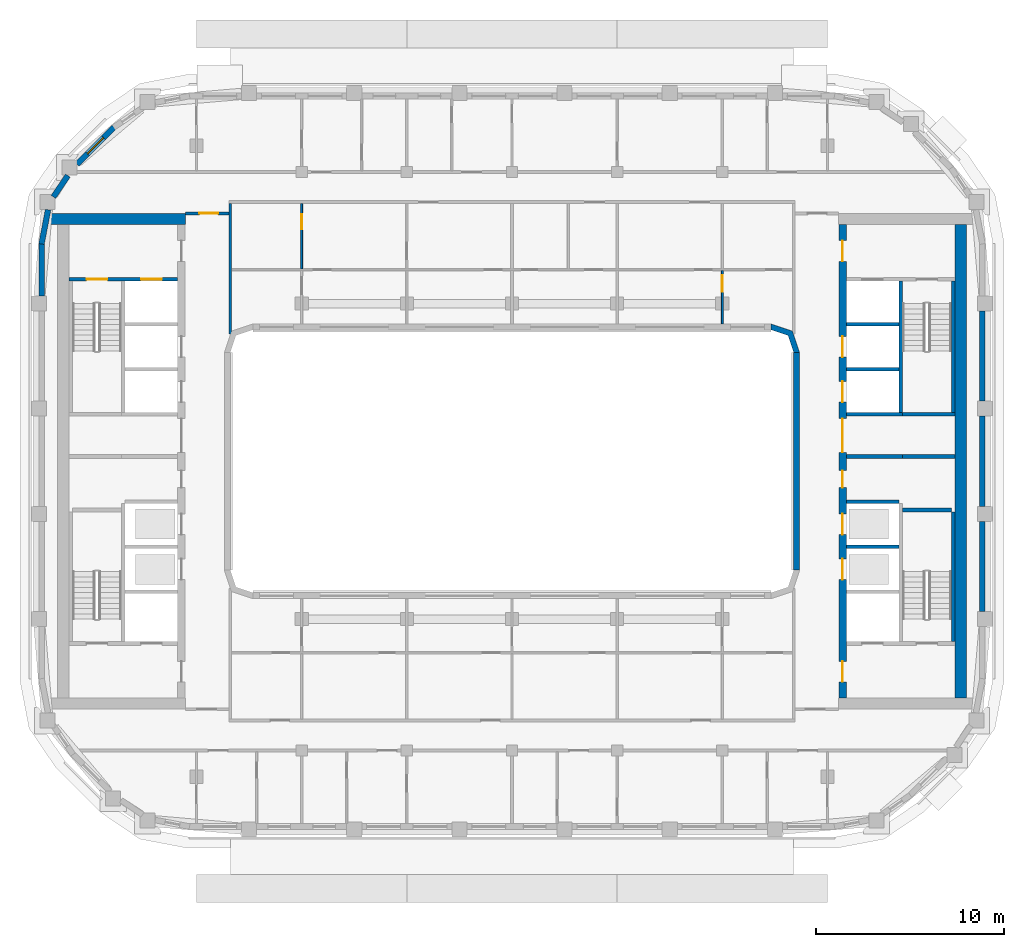
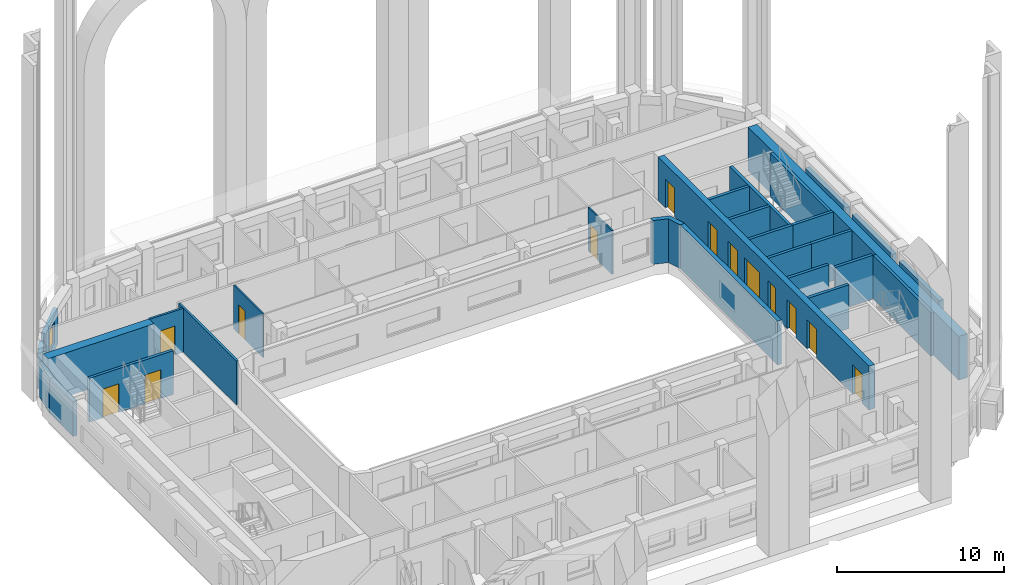
# One storey, part 6 of 19: 29 walls, 13 doors, 1 window, 14 openings.
"""IFC4 building model written with IfcOpenShell, lengths in metres."""

from ifc_helpers import new_model, si_unit, direction, frame, frame_2d, origin, place, context, subcontext, project, spatial, polyline, rectangle, outline, extrude, material, layer, layer_set, type_object, element, fill, save


model = new_model("IFC4")

# Units and contexts
model_context = context("Model", 3, precision=1e-05, world=origin(), true_north=direction((0.0, 1.0)))
body_context = subcontext(model_context, "Body", "Model", "MODEL_VIEW")
ifc_project = project(units=[si_unit("LENGTHUNIT", "METRE"), si_unit("AREAUNIT", "SQUARE_METRE"), si_unit("VOLUMEUNIT", "CUBIC_METRE"), si_unit("PLANEANGLEUNIT", "RADIAN"), si_unit("MASSUNIT", "GRAM", prefix="KILO")], contexts=[model_context])

# Site, building, storey
site_placement = place(None, origin())
site = spatial("IfcSite", under=ifc_project, at=site_placement, CompositionType="ELEMENT")
building_placement = place(site_placement, origin())
building = spatial("IfcBuilding", under=site, at=building_placement, Name="Kiln Ring Residences", CompositionType="ELEMENT")
storey_placement = place(building_placement, frame((0.0, 0.0, 241.699951171875)))
storey = spatial("IfcBuildingStorey", under=building, at=storey_placement, Name="L62", CompositionType="ELEMENT", Elevation=241.699951171875)

# Walls
ifc_material_1 = material(Name="Gypsum board on steel studs", Category="steel")
ifc_layer_1 = layer(ifc_material_1, 0.199951171875)
ifc_layer_set_1 = layer_set([ifc_layer_1], Name="CORE-PARTITION-200")
wall_type_1 = type_object("IfcWallType", Name="CORE-PARTITION-200", PredefinedType="PARTITIONING", material=ifc_layer_set_1)
wall_1_placement = place(storey_placement, frame((20.800048828125, 0.25, 0.0), z_axis=(0.0, 0.0, 1.0), x_axis=(1.0, 0.0, 0.0)))
element("IfcWall", 1, at=wall_1_placement, inside=storey, type_object=wall_type_1, Name="Core partition east L62 1", PredefinedType="PARTITIONING", context=body_context, shape_type="SweptSolid", body=[
    extrude(rectangle(XDim=2.800048828125, YDim=0.199951171875, at=frame_2d((1.39990234375, 0.0))), origin(), (0.0, 0.0, 1.0), 3.199951171875),
])
ifc_material_2 = material(Name="Gypsum shaft wall system")
ifc_layer_2 = layer(ifc_material_2, 0.199951171875)
ifc_layer_set_2 = layer_set([ifc_layer_2], Name="CORE-SHAFT-WALL-200")
wall_type_2 = type_object("IfcWallType", Name="CORE-SHAFT-WALL-200", PredefinedType="PARTITIONING", material=ifc_layer_set_2)
for number, where, z_axis, x_axis, name in (
    (2, (17.800048828125, -4.550048828125, 0.0), (0.0, 0.0, 1.0), (1.0, 0.0, 0.0), "Core partition east L62 3"),
    (3, (17.800048828125, -2.14990234375, 0.0), (0.0, 0.0, 1.0), (1.0, 0.0, 0.0), "Core partition east L62 4"),
):
    element("IfcWall", number, at=place(storey_placement, frame(where, z_axis=z_axis, x_axis=x_axis)), inside=storey, type_object=wall_type_2, Name=name, PredefinedType="PARTITIONING", context=body_context, shape_type="SweptSolid", body=[
        extrude(rectangle(XDim=2.800048828125, YDim=0.199951171875, at=frame_2d((1.39990234375, 0.0))), origin(), (0.0, 0.0, 1.0), 3.199951171875),
    ])
for number, where, z_axis, x_axis, name in (
    (4, (17.800048828125, 0.25, 0.0), (0.0, 0.0, 1.0), (1.0, 0.0, 0.0), "Core partition east L62 5"),
    (5, (17.800048828125, 2.5, 0.0), (0.0, 0.0, 1.0), (1.0, 0.0, 0.0), "Core partition east L62 6"),
):
    element("IfcWall", number, at=place(storey_placement, frame(where, z_axis=z_axis, x_axis=x_axis)), inside=storey, type_object=wall_type_2, Name=name, PredefinedType="PARTITIONING", context=body_context, shape_type="SweptSolid", body=[
        extrude(rectangle(XDim=3.0, YDim=0.199951171875, at=frame_2d((1.5, 0.0))), origin(), (0.0, 0.0, 1.0), 3.199951171875),
    ])
for number, where, z_axis, x_axis, name in (
    (6, (17.800048828125, 4.89990234375, 0.0), (0.0, 0.0, 1.0), (1.0, 0.0, 0.0), "Core partition east L62 7"),
    (7, (17.800048828125, 7.300048828125, 0.0), (0.0, 0.0, 1.0), (1.0, 0.0, 0.0), "Core partition east L62 8"),
):
    element("IfcWall", number, at=place(storey_placement, frame(where, z_axis=z_axis, x_axis=x_axis)), inside=storey, type_object=wall_type_2, Name=name, PredefinedType="PARTITIONING", context=body_context, shape_type="SweptSolid", body=[
        extrude(rectangle(XDim=2.800048828125, YDim=0.199951171875, at=frame_2d((1.39990234375, 0.0))), origin(), (0.0, 0.0, 1.0), 3.199951171875),
    ])

# Wall, openings, doors
ifc_material_3 = material(Name="Concrete C40/50", Category="concrete")
ifc_layer_3 = layer(ifc_material_3, 0.199951171875)
ifc_layer_set_3 = layer_set([ifc_layer_3], Name="CORE-WALL-RC200")
wall_type_3 = type_object("IfcWallType", Name="CORE-WALL-RC200", PredefinedType="SHEAR", material=ifc_layer_set_3)
wall_2_placement = place(storey_placement, frame((-17.800048828125, 9.699951171875, 0.0), z_axis=(0.0, 0.0, 1.0), x_axis=(-1.0, 0.0, 0.0)))
wall_2 = element("IfcWall", 8, at=wall_2_placement, inside=storey, type_object=wall_type_3, Name="Core wall west L62 9", PredefinedType="SHEAR", context=body_context, shape_type="SweptSolid", body=[
    extrude(rectangle(XDim=5.800048828125, YDim=0.199951171875, at=frame_2d((2.89990234375, 0.0))), origin(), (0.0, 0.0, 1.0), 3.199951171875),
])
opening_1_placement = place(wall_2_placement, frame((0.85009765625, 0.0, 0.0)))
opening_1 = element("IfcOpeningElement", 9, at=opening_1_placement, cuts=wall_2, Name="Opening L62-CW07", PredefinedType="OPENING", context=body_context, shape_type="SweptSolid", body=[
    extrude(rectangle(XDim=1.10009765625, YDim=2.10009765625, at=frame_2d((0.550048828125, 1.050048828125))), frame((0.0, 0.10986328125, 0.0), z_axis=(0.0, -1.0, 0.0), x_axis=(1.0, 0.0, 0.0)), (0.0, 0.0, 1.0), 0.219970703125),
])
opening_2_placement = place(wall_2_placement, frame((3.75, 0.0, 0.0)))
opening_2 = element("IfcOpeningElement", 10, at=opening_2_placement, cuts=wall_2, Name="Opening L62-CW10", PredefinedType="OPENING", context=body_context, shape_type="SweptSolid", body=[
    extrude(rectangle(XDim=1.10009765625, YDim=2.10009765625, at=frame_2d((0.550048828125, 1.050048828125))), frame((0.0, 0.10986328125, 0.0), z_axis=(0.0, -1.0, 0.0), x_axis=(1.0, 0.0, 0.0)), (0.0, 0.0, 1.0), 0.219970703125),
])
ifc_material_4 = material(Name="Steel door leaf", Category="steel")
door_type_1 = type_object("IfcDoorType", Name="CORE-DOOR-LD", OperationType="DOUBLE_DOOR_SLIDING", PredefinedType="DOOR", material=ifc_material_4)
door_1_placement = place(opening_1_placement, origin())
door_1 = element("IfcDoor", 11, at=door_1_placement, inside=storey, type_object=door_type_1, Name="LD W-FF L62-CW07", OperationType="DOUBLE_DOOR_SLIDING", OverallHeight=2.10009765625, OverallWidth=1.10009765625, PredefinedType="DOOR", context=body_context, shape_type="SweptSolid", body=[
    extrude(rectangle(XDim=1.10009765625, YDim=2.10009765625, at=frame_2d((0.550048828125, 1.050048828125))), frame((0.0, 0.02490234375, 0.0), z_axis=(0.0, -1.0, 0.0), x_axis=(1.0, 0.0, 0.0)), (0.0, 0.0, 1.0), 0.050048828125),
])
fill(opening_1, door_1)
ifc_material_5 = material(Name="Steel door leaf", Category="steel")
door_type_2 = type_object("IfcDoorType", Name="CORE-DOOR-STAIR", OperationType="SINGLE_SWING_LEFT", PredefinedType="DOOR", material=ifc_material_5)
door_2_placement = place(opening_2_placement, origin())
door_2 = element("IfcDoor", 12, at=door_2_placement, inside=storey, type_object=door_type_2, Name="Stair W-STN L62-CW10", OperationType="SINGLE_SWING_RIGHT", OverallHeight=2.10009765625, OverallWidth=1.10009765625, PredefinedType="DOOR", context=body_context, shape_type="SweptSolid", body=[
    extrude(rectangle(XDim=1.10009765625, YDim=2.10009765625, at=frame_2d((0.550048828125, 1.050048828125))), frame((0.0, 0.02490234375, 0.0), z_axis=(0.0, -1.0, 0.0), x_axis=(1.0, 0.0, 0.0)), (0.0, 0.0, 1.0), 0.050048828125),
])
fill(opening_2, door_2)

# Walls
wall_3_placement = place(storey_placement, frame((20.699951171875, 2.60009765625, 0.0), z_axis=(0.0, 0.0, 1.0), x_axis=(0.0, 1.0, 0.0)))
element("IfcWall", 13, at=wall_3_placement, inside=storey, type_object=wall_type_3, Name="Core wall east L62 1", PredefinedType="SHEAR", context=body_context, shape_type="SweptSolid", body=[
    extrude(rectangle(XDim=7.0, YDim=0.199951171875, at=frame_2d((3.5, 0.0))), origin(), (0.0, 0.0, 1.0), 3.199951171875),
])
wall_4_placement = place(storey_placement, frame((20.800048828125, 2.5, 0.0), z_axis=(0.0, 0.0, 1.0), x_axis=(1.0, 0.0, 0.0)))
element("IfcWall", 14, at=wall_4_placement, inside=storey, type_object=wall_type_3, Name="Core wall east L62 3", PredefinedType="SHEAR", context=body_context, shape_type="SweptSolid", body=[
    extrude(rectangle(XDim=2.800048828125, YDim=0.199951171875, at=frame_2d((1.39990234375, 0.0))), origin(), (0.0, 0.0, 1.0), 3.199951171875),
])
wall_5_placement = place(storey_placement, frame((23.5, 2.60009765625, 0.0), z_axis=(0.0, 0.0, 1.0), x_axis=(0.0, 1.0, 0.0)))
element("IfcWall", 15, at=wall_5_placement, inside=storey, type_object=wall_type_3, Name="Core wall east L62 10", PredefinedType="SHEAR", context=body_context, shape_type="SweptSolid", body=[
    extrude(rectangle(XDim=7.0, YDim=0.199951171875, at=frame_2d((3.5, 0.0))), origin(), (0.0, 0.0, 1.0), 3.199951171875),
])
wall_6_placement = place(storey_placement, frame((23.5, -9.60009765625, 0.0), z_axis=(0.0, 0.0, 1.0), x_axis=(0.0, 1.0, 0.0)))
element("IfcWall", 16, at=wall_6_placement, inside=storey, type_object=wall_type_3, Name="Core wall east L62 11", PredefinedType="SHEAR", context=body_context, shape_type="SweptSolid", body=[
    extrude(rectangle(XDim=6.900146484375, YDim=0.199951171875, at=frame_2d((3.4501953125, 0.0))), origin(), (0.0, 0.0, 1.0), 3.199951171875),
])
wall_7_placement = place(storey_placement, frame((20.800048828125, -2.60009765625, 0.0), z_axis=(0.0, 0.0, 1.0), x_axis=(1.0, 0.0, 0.0)))
element("IfcWall", 17, at=wall_7_placement, inside=storey, type_object=wall_type_3, Name="Core wall east L62 12", PredefinedType="SHEAR", context=body_context, shape_type="SweptSolid", body=[
    extrude(rectangle(XDim=2.599853515625, YDim=0.199951171875, at=frame_2d((1.2998046875, 0.0))), origin(), (0.0, 0.0, 1.0), 3.199951171875),
])

# Wall, openings, doors
ifc_material_6 = material(Name="Concrete C60/75", Category="concrete")
ifc_layer_4 = layer(ifc_material_6, 0.39990234375)
ifc_layer_set_4 = layer_set([ifc_layer_4], Name="CORE-WALL-RC400")
wall_type_4 = type_object("IfcWallType", Name="CORE-WALL-RC400", PredefinedType="SHEAR", material=ifc_layer_set_4)
wall_8_placement = place(storey_placement, frame((17.60009765625, -12.60009765625, 0.0), z_axis=(0.0, 0.0, 1.0), x_axis=(0.0, 1.0, 0.0)))
wall_8 = element("IfcWall", 18, at=wall_8_placement, inside=storey, type_object=wall_type_4, Name="Core wall east L62 6", PredefinedType="SHEAR", context=body_context, shape_type="SweptSolid", body=[
    extrude(rectangle(XDim=25.2001953125, YDim=0.39990234375, at=frame_2d((12.60009765625, 0.0))), origin(), (0.0, 0.0, 1.0), 3.199951171875),
])
opening_3_placement = place(wall_8_placement, frame((6.300048828125, 0.0, 0.0)))
opening_3 = element("IfcOpeningElement", 19, at=opening_3_placement, cuts=wall_8, Name="Opening L62-CE02", PredefinedType="OPENING", context=body_context, shape_type="SweptSolid", body=[
    extrude(rectangle(XDim=1.10009765625, YDim=2.10009765625, at=frame_2d((0.550048828125, 1.050048828125))), frame((0.0, 0.2099609375, 0.0), z_axis=(0.0, -1.0, 0.0), x_axis=(1.0, 0.0, 0.0)), (0.0, 0.0, 1.0), 0.419921875),
])
opening_4_placement = place(wall_8_placement, frame((8.699951171875, 0.0, 0.0)))
opening_4 = element("IfcOpeningElement", 20, at=opening_4_placement, cuts=wall_8, Name="Opening L62-CE03", PredefinedType="OPENING", context=body_context, shape_type="SweptSolid", body=[
    extrude(rectangle(XDim=1.10009765625, YDim=2.10009765625, at=frame_2d((0.550048828125, 1.050048828125))), frame((0.0, 0.2099609375, 0.0), z_axis=(0.0, -1.0, 0.0), x_axis=(1.0, 0.0, 0.0)), (0.0, 0.0, 1.0), 0.419921875),
])
opening_5_placement = place(wall_8_placement, frame((11.199951171875, 0.0, 0.0)))
opening_5 = element("IfcOpeningElement", 21, at=opening_5_placement, cuts=wall_8, Name="Opening L62-CE04", PredefinedType="OPENING", context=body_context, shape_type="SweptSolid", body=[
    extrude(rectangle(XDim=0.89990234375, YDim=2.10009765625, at=frame_2d((0.449951171875, 1.050048828125))), frame((0.0, 0.2099609375, 0.0), z_axis=(0.0, -1.0, 0.0), x_axis=(1.0, 0.0, 0.0)), (0.0, 0.0, 1.0), 0.419921875),
])
opening_6_placement = place(wall_8_placement, frame((15.75, 0.0, 0.0)))
opening_6 = element("IfcOpeningElement", 22, at=opening_6_placement, cuts=wall_8, Name="Opening L62-CE05", PredefinedType="OPENING", context=body_context, shape_type="SweptSolid", body=[
    extrude(rectangle(XDim=1.10009765625, YDim=2.10009765625, at=frame_2d((0.550048828125, 1.050048828125))), frame((0.0, 0.2099609375, 0.0), z_axis=(0.0, -1.0, 0.0), x_axis=(1.0, 0.0, 0.0)), (0.0, 0.0, 1.0), 0.419921875),
])
opening_7_placement = place(wall_8_placement, frame((18.14990234375, 0.0, 0.0)))
opening_7 = element("IfcOpeningElement", 23, at=opening_7_placement, cuts=wall_8, Name="Opening L62-CE06", PredefinedType="OPENING", context=body_context, shape_type="SweptSolid", body=[
    extrude(rectangle(XDim=1.10009765625, YDim=2.10009765625, at=frame_2d((0.550048828125, 1.050048828125))), frame((0.0, 0.2099609375, 0.0), z_axis=(0.0, -1.0, 0.0), x_axis=(1.0, 0.0, 0.0)), (0.0, 0.0, 1.0), 0.419921875),
])
opening_8_placement = place(wall_8_placement, frame((23.25, 0.0, 0.0)))
opening_8 = element("IfcOpeningElement", 24, at=opening_8_placement, cuts=wall_8, Name="Opening L62-CE08", PredefinedType="OPENING", context=body_context, shape_type="SweptSolid", body=[
    extrude(rectangle(XDim=1.10009765625, YDim=2.10009765625, at=frame_2d((0.550048828125, 1.050048828125))), frame((0.0, 0.2099609375, 0.0), z_axis=(0.0, -1.0, 0.0), x_axis=(1.0, 0.0, 0.0)), (0.0, 0.0, 1.0), 0.419921875),
])
opening_9_placement = place(wall_8_placement, frame((0.85009765625, 0.0, 0.0)))
opening_9 = element("IfcOpeningElement", 25, at=opening_9_placement, cuts=wall_8, Name="Opening L62-CE09", PredefinedType="OPENING", context=body_context, shape_type="SweptSolid", body=[
    extrude(rectangle(XDim=1.10009765625, YDim=2.10009765625, at=frame_2d((0.550048828125, 1.050048828125))), frame((0.0, 0.2099609375, 0.0), z_axis=(0.0, -1.0, 0.0), x_axis=(1.0, 0.0, 0.0)), (0.0, 0.0, 1.0), 0.419921875),
])
opening_10_placement = place(wall_8_placement, frame((13.074951171875, 0.0, 0.0)))
opening_10 = element("IfcOpeningElement", 26, at=opening_10_placement, cuts=wall_8, Name="Opening L62-CE12", PredefinedType="OPENING", context=body_context, shape_type="SweptSolid", body=[
    extrude(rectangle(XDim=1.800048828125, YDim=2.10009765625, at=frame_2d((0.89990234375, 1.050048828125))), frame((0.0, 0.2099609375, 0.0), z_axis=(0.0, -1.0, 0.0), x_axis=(1.0, 0.0, 0.0)), (0.0, 0.0, 1.0), 0.419921875),
])
door_3_placement = place(opening_3_placement, origin())
door_3 = element("IfcDoor", 27, at=door_3_placement, inside=storey, type_object=door_type_1, Name="LD E-H1 L62-CE02", OperationType="DOUBLE_DOOR_SLIDING", OverallHeight=2.10009765625, OverallWidth=1.10009765625, PredefinedType="DOOR", context=body_context, shape_type="SweptSolid", body=[
    extrude(rectangle(XDim=1.10009765625, YDim=2.10009765625, at=frame_2d((0.550048828125, 1.050048828125))), frame((0.0, 0.02490234375, 0.0), z_axis=(0.0, -1.0, 0.0), x_axis=(1.0, 0.0, 0.0)), (0.0, 0.0, 1.0), 0.050048828125),
])
fill(opening_3, door_3)
door_4_placement = place(opening_4_placement, origin())
door_4 = element("IfcDoor", 28, at=door_4_placement, inside=storey, type_object=door_type_1, Name="LD E-H2 L62-CE03", OperationType="DOUBLE_DOOR_SLIDING", OverallHeight=2.10009765625, OverallWidth=1.10009765625, PredefinedType="DOOR", context=body_context, shape_type="SweptSolid", body=[
    extrude(rectangle(XDim=1.10009765625, YDim=2.10009765625, at=frame_2d((0.550048828125, 1.050048828125))), frame((0.0, 0.02490234375, 0.0), z_axis=(0.0, -1.0, 0.0), x_axis=(1.0, 0.0, 0.0)), (0.0, 0.0, 1.0), 0.050048828125),
])
fill(opening_4, door_4)
door_5_placement = place(opening_6_placement, origin())
door_5 = element("IfcDoor", 29, at=door_5_placement, inside=storey, type_object=door_type_1, Name="LD E-M1 L62-CE05", OperationType="DOUBLE_DOOR_SLIDING", OverallHeight=2.10009765625, OverallWidth=1.10009765625, PredefinedType="DOOR", context=body_context, shape_type="SweptSolid", body=[
    extrude(rectangle(XDim=1.10009765625, YDim=2.10009765625, at=frame_2d((0.550048828125, 1.050048828125))), frame((0.0, 0.02490234375, 0.0), z_axis=(0.0, -1.0, 0.0), x_axis=(1.0, 0.0, 0.0)), (0.0, 0.0, 1.0), 0.050048828125),
])
fill(opening_6, door_5)
door_6_placement = place(opening_7_placement, origin())
door_6 = element("IfcDoor", 30, at=door_6_placement, inside=storey, type_object=door_type_1, Name="LD E-M2 L62-CE06", OperationType="DOUBLE_DOOR_SLIDING", OverallHeight=2.10009765625, OverallWidth=1.10009765625, PredefinedType="DOOR", context=body_context, shape_type="SweptSolid", body=[
    extrude(rectangle(XDim=1.10009765625, YDim=2.10009765625, at=frame_2d((0.550048828125, 1.050048828125))), frame((0.0, 0.02490234375, 0.0), z_axis=(0.0, -1.0, 0.0), x_axis=(1.0, 0.0, 0.0)), (0.0, 0.0, 1.0), 0.050048828125),
])
fill(opening_7, door_6)
ifc_material_7 = material(Name="Steel door leaf", Category="steel")
door_type_3 = type_object("IfcDoorType", Name="CORE-DOOR-LOBBY", OperationType="SINGLE_SWING_LEFT", PredefinedType="DOOR", material=ifc_material_7)
door_7_placement = place(opening_8_placement, origin())
door_7 = element("IfcDoor", 31, at=door_7_placement, inside=storey, type_object=door_type_3, Name="FFL L62-CE08", OperationType="SINGLE_SWING_RIGHT", OverallHeight=2.10009765625, OverallWidth=1.10009765625, PredefinedType="DOOR", context=body_context, shape_type="SweptSolid", body=[
    extrude(rectangle(XDim=1.10009765625, YDim=2.10009765625, at=frame_2d((0.550048828125, 1.050048828125))), frame((0.0, 0.02490234375, 0.0), z_axis=(0.0, -1.0, 0.0), x_axis=(1.0, 0.0, 0.0)), (0.0, 0.0, 1.0), 0.050048828125),
])
fill(opening_8, door_7)
door_8_placement = place(opening_9_placement, origin())
door_8 = element("IfcDoor", 32, at=door_8_placement, inside=storey, type_object=door_type_3, Name="SVL L62-CE09", OperationType="SINGLE_SWING_LEFT", OverallHeight=2.10009765625, OverallWidth=1.10009765625, PredefinedType="DOOR", context=body_context, shape_type="SweptSolid", body=[
    extrude(rectangle(XDim=1.10009765625, YDim=2.10009765625, at=frame_2d((0.550048828125, 1.050048828125))), frame((0.0, 0.02490234375, 0.0), z_axis=(0.0, -1.0, 0.0), x_axis=(1.0, 0.0, 0.0)), (0.0, 0.0, 1.0), 0.050048828125),
])
fill(opening_9, door_8)
ifc_material_8 = material(Name="Steel door leaf", Category="steel")
door_type_4 = type_object("IfcDoorType", Name="CORE-DOOR-PASS", OperationType="DOUBLE_DOOR_SINGLE_SWING", PredefinedType="DOOR", material=ifc_material_8)
door_9_placement = place(opening_10_placement, origin())
door_9 = element("IfcDoor", 33, at=door_9_placement, inside=storey, type_object=door_type_4, Name="Core passage L62-CE12", OperationType="DOUBLE_DOOR_SINGLE_SWING", OverallHeight=2.10009765625, OverallWidth=1.800048828125, PredefinedType="DOOR", context=body_context, shape_type="SweptSolid", body=[
    extrude(rectangle(XDim=1.800048828125, YDim=2.10009765625, at=frame_2d((0.89990234375, 1.050048828125))), frame((0.0, 0.02490234375, 0.0), z_axis=(0.0, -1.0, 0.0), x_axis=(1.0, 0.0, 0.0)), (0.0, 0.0, 1.0), 0.050048828125),
])
fill(opening_10, door_9)
ifc_material_9 = material(Name="Steel door leaf", Category="steel")
door_type_5 = type_object("IfcDoorType", Name="CORE-DOOR-ROOM", OperationType="SINGLE_SWING_LEFT", PredefinedType="DOOR", material=ifc_material_9)
door_10_placement = place(opening_5_placement, origin())
door_10 = element("IfcDoor", 34, at=door_10_placement, inside=storey, type_object=door_type_5, Name="Cleaner's base L62-CE04", OperationType="SINGLE_SWING_LEFT", OverallHeight=2.10009765625, OverallWidth=0.89990234375, PredefinedType="DOOR", context=body_context, shape_type="SweptSolid", body=[
    extrude(rectangle(XDim=0.89990234375, YDim=2.10009765625, at=frame_2d((0.449951171875, 1.050048828125))), frame((0.0, 0.02490234375, 0.0), z_axis=(0.0, -1.0, 0.0), x_axis=(1.0, 0.0, 0.0)), (0.0, 0.0, 1.0), 0.050048828125),
])
fill(opening_5, door_10)

# Walls
ifc_material_10 = material(Name="Concrete C60/75", Category="concrete")
ifc_layer_5 = layer(ifc_material_10, 0.60009765625)
ifc_layer_set_5 = layer_set([ifc_layer_5], Name="CORE-WALL-RC600")
wall_type_5 = type_object("IfcWallType", Name="CORE-WALL-RC600", PredefinedType="SHEAR", material=ifc_layer_set_5)
wall_9_placement = place(storey_placement, frame((-17.39990234375, 12.89990234375, 0.0), z_axis=(0.0, 0.0, 1.0), x_axis=(-1.0, 0.0, 0.0)))
element("IfcWall", 35, at=wall_9_placement, inside=storey, type_object=wall_type_5, Name="Core wall west L62 4", PredefinedType="SHEAR", context=body_context, shape_type="SweptSolid", body=[
    extrude(rectangle(XDim=7.320068359375, YDim=0.60009765625, at=frame_2d((3.66015625, 0.0))), origin(), (0.0, 0.0, 1.0), 3.199951171875),
])
wall_10_placement = place(storey_placement, frame((23.89990234375, -12.60009765625, 0.0), z_axis=(0.0, 0.0, 1.0), x_axis=(0.0, 1.0, 0.0)))
element("IfcWall", 36, at=wall_10_placement, inside=storey, type_object=wall_type_5, Name="Core wall east L62 7", PredefinedType="SHEAR", context=body_context, shape_type="SweptSolid", body=[
    extrude(rectangle(XDim=25.2001953125, YDim=0.60009765625, at=frame_2d((12.60009765625, 0.0))), origin(), (0.0, 0.0, 1.0), 3.199951171875),
])
ifc_material_11 = material(Name="Brick masonry, dark clay brick", Category="masonry")
ifc_layer_6 = layer(ifc_material_11, 0.300048828125)
ifc_layer_set_6 = layer_set([ifc_layer_6], Name="EW-300 BRICK WALL")
wall_type_6 = type_object("IfcWallType", Name="EW-300 BRICK WALL", PredefinedType="SOLIDWALL", material=ifc_layer_set_6)
wall_11_placement = place(storey_placement, frame((25.050048828125, -8.0, 0.0), z_axis=(0.0, 0.0, 1.0), x_axis=(0.0, 1.0, 0.0)))
element("IfcWall", 37, at=wall_11_placement, inside=storey, type_object=wall_type_6, Name="Facade wall L62 17", PredefinedType="SOLIDWALL", context=body_context, shape_type="SweptSolid", body=[
    extrude(rectangle(XDim=4.800048828125, YDim=0.300048828125, at=frame_2d((2.39990234375, 0.0))), origin(), (0.0, 0.0, 1.0), 2.550048828125),
])
wall_12_placement = place(storey_placement, frame((25.050048828125, -2.39990234375, 0.0), z_axis=(0.0, 0.0, 1.0), x_axis=(0.0, 1.0, 0.0)))
element("IfcWall", 38, at=wall_12_placement, inside=storey, type_object=wall_type_6, Name="Facade wall L62 18", PredefinedType="SOLIDWALL", context=body_context, shape_type="SweptSolid", body=[
    extrude(rectangle(XDim=4.7998046875, YDim=0.300048828125, at=frame_2d((2.39990234375, 0.0))), origin(), (0.0, 0.0, 1.0), 2.550048828125),
])
wall_13_placement = place(storey_placement, frame((25.050048828125, 3.199951171875, 0.0), z_axis=(0.0, 0.0, 1.0), x_axis=(0.0, 1.0, 0.0)))
element("IfcWall", 39, at=wall_13_placement, inside=storey, type_object=wall_type_6, Name="Facade wall L62 19", PredefinedType="SOLIDWALL", context=body_context, shape_type="SweptSolid", body=[
    extrude(rectangle(XDim=4.800048828125, YDim=0.300048828125, at=frame_2d((2.39990234375, 0.0))), origin(), (0.0, 0.0, 1.0), 2.550048828125),
])

# Wall, opening, window
wall_14_placement = place(storey_placement, frame((-21.19091796875, 17.796875, 0.0), z_axis=(0.0, 0.0, 1.0), x_axis=(-0.707106781187, -0.707106781187, 0.0)))
wall_14 = element("IfcWall", 40, at=wall_14_placement, inside=storey, type_object=wall_type_6, Name="Facade wall L62 35", PredefinedType="SOLIDWALL", context=body_context, shape_type="SweptSolid", body=[
    extrude(rectangle(XDim=2.800048828125, YDim=0.300048828125, at=frame_2d((1.39990234375, 0.0))), origin(), (0.0, 0.0, 1.0), 2.550048828125),
])
opening_11_placement = place(wall_14_placement, frame((0.800048828125, 0.0, 0.60009765625)))
opening_11 = element("IfcOpeningElement", 41, at=opening_11_placement, cuts=wall_14, Name="Opening W1", PredefinedType="OPENING", context=body_context, shape_type="SweptSolid", body=[
    extrude(rectangle(XDim=1.199951171875, YDim=1.550048828125, at=frame_2d((0.60009765625, 0.77490234375))), frame((0.0, 0.159912109375, 0.0), z_axis=(0.0, -1.0, 0.0), x_axis=(1.0, 0.0, 0.0)), (0.0, 0.0, 1.0), 0.320068359375),
])
ifc_material_12 = material(Name="Aluminium frame with double glazing", Category="aluminium")
window_type = type_object("IfcWindowType", Name="WINDOW 1200 x 1550", PartitioningType="SINGLE_PANEL", PredefinedType="WINDOW", material=ifc_material_12)
window_placement = place(opening_11_placement, origin())
window = element("IfcWindow", 42, at=window_placement, inside=storey, type_object=window_type, Name="Window L62 35", OverallHeight=1.550048828125, OverallWidth=1.199951171875, PartitioningType="SINGLE_PANEL", PredefinedType="WINDOW", context=body_context, shape_type="SweptSolid", body=[
    extrude(rectangle(XDim=1.199951171875, YDim=1.550048828125, at=frame_2d((0.60009765625, 0.77490234375))), frame((0.0, 0.030029296875, 0.0), z_axis=(0.0, -1.0, 0.0), x_axis=(1.0, 0.0, 0.0)), (0.0, 0.0, 1.0), 0.06005859375),
])
fill(opening_11, window)

# Walls
wall_15_placement = place(storey_placement, frame((-23.648193359375, 15.216552734375, 0.0), z_axis=(0.0, 0.0, 1.0), x_axis=(-0.562043265151, -0.827107833416, 0.0)))
element("IfcWall", 43, at=wall_15_placement, inside=storey, type_object=wall_type_6, Name="Facade wall L62 36", PredefinedType="SOLIDWALL", context=body_context, shape_type="SweptSolid", body=[
    extrude(rectangle(XDim=1.376953125, YDim=0.300048828125, at=frame_2d((0.6884765625, 0.0))), origin(), (0.0, 0.0, 1.0), 2.550048828125),
])
wall_16_placement = place(storey_placement, frame((-24.704833984375, 13.395263671875, 0.0), z_axis=(0.0, 0.0, 1.0), x_axis=(-0.187408222942, -0.982282117303, 0.0)))
element("IfcWall", 44, at=wall_16_placement, inside=storey, type_object=wall_type_6, Name="Facade wall L62 37", PredefinedType="SOLIDWALL", context=body_context, shape_type="SweptSolid", body=[
    extrude(rectangle(XDim=1.8564453125, YDim=0.300048828125, at=frame_2d((0.92822265625, 0.0))), origin(), (0.0, 0.0, 1.0), 2.550048828125),
])
wall_17_placement = place(storey_placement, frame((-25.050048828125, 11.60009765625, 0.0), z_axis=(0.0, 0.0, 1.0), x_axis=(0.0, -1.0, 0.0)))
element("IfcWall", 45, at=wall_17_placement, inside=storey, type_object=wall_type_6, Name="Facade wall L62 38", PredefinedType="SOLIDWALL", context=body_context, shape_type="SweptSolid", body=[
    extrude(rectangle(XDim=2.800048828125, YDim=0.300048828125, at=frame_2d((1.39990234375, 0.0))), origin(), (0.0, 0.0, 1.0), 2.550048828125),
])
wall_18_placement = place(storey_placement, frame((15.14990234375, 5.800048828125, 0.0), z_axis=(0.0, 0.0, 1.0), x_axis=(0.0, -1.0, 0.0)))
element("IfcWall", 46, at=wall_18_placement, inside=storey, type_object=wall_type_6, Name="Facade wall L62 47", PredefinedType="SOLIDWALL", context=body_context, shape_type="SweptSolid", body=[
    extrude(rectangle(XDim=11.60009765625, YDim=0.300048828125, at=frame_2d((5.800048828125, 0.0))), origin(), (0.0, 0.0, 1.0), 3.199951171875),
])
wall_19_placement = place(storey_placement, origin())
element("IfcWall", 47, at=wall_19_placement, inside=storey, type_object=wall_type_6, Name="Corner wall L62 2", PredefinedType="SOLIDWALL", context=body_context, shape_type="SweptSolid", body=[
    extrude(outline(polyline([(14.937255859375, 6.937255859375), (13.8486328125, 7.300048828125), (13.800048828125, 7.300048828125), (13.800048828125, 7.0), (14.699951171875, 6.699951171875), (15.0, 5.800048828125), (15.300048828125, 5.800048828125), (15.300048828125, 5.8486328125), (14.937255859375, 6.937255859375)])), origin(), (0.0, 0.0, 1.0), 3.199951171875),
])

# Wall, opening, door
ifc_material_13 = material(Name="Gypsum board on steel studs", Category="steel")
ifc_layer_7 = layer(ifc_material_13, 0.10009765625)
ifc_layer_set_7 = layer_set([ifc_layer_7], Name="PARTITION-100")
wall_type_7 = type_object("IfcWallType", Name="PARTITION-100", PredefinedType="PARTITIONING", material=ifc_layer_set_7)
wall_20_placement = place(storey_placement, frame((-11.199951171875, 10.25, 0.0), z_axis=(0.0, 0.0, 1.0), x_axis=(0.0, 1.0, 0.0)))
wall_20 = element("IfcWall", 48, at=wall_20_placement, inside=storey, type_object=wall_type_7, Name="Partition 018", PredefinedType="PARTITIONING", context=body_context, shape_type="SweptSolid", body=[
    extrude(rectangle(XDim=3.47509765625, YDim=0.10009765625, at=frame_2d((1.737548828125, 0.0))), origin(), (0.0, 0.0, 1.0), 3.199951171875),
])
opening_12_placement = place(wall_20_placement, frame((2.09912109375, 0.0, 0.0)))
opening_12 = element("IfcOpeningElement", 49, at=opening_12_placement, cuts=wall_20, Name="Opening L62-D007", PredefinedType="OPENING", context=body_context, shape_type="SweptSolid", body=[
    extrude(rectangle(XDim=0.800048828125, YDim=2.10009765625, at=frame_2d((0.39990234375, 1.050048828125))), frame((0.0, 0.06005859375, 0.0), z_axis=(0.0, -1.0, 0.0), x_axis=(1.0, 0.0, 0.0)), (0.0, 0.0, 1.0), 0.1201171875),
])
ifc_material_14 = material(Name="Timber door leaf", Category="wood")
door_type_6 = type_object("IfcDoorType", Name="FLAT-DOOR-800-PL", OperationType="SINGLE_SWING_LEFT", PredefinedType="DOOR", material=ifc_material_14)
door_11_placement = place(opening_12_placement, origin())
door_11 = element("IfcDoor", 50, at=door_11_placement, inside=storey, type_object=door_type_6, Name="Door L62-D007", OperationType="SINGLE_SWING_LEFT", OverallHeight=2.10009765625, OverallWidth=0.800048828125, PredefinedType="DOOR", context=body_context, shape_type="SweptSolid", body=[
    extrude(rectangle(XDim=0.800048828125, YDim=2.10009765625, at=frame_2d((0.39990234375, 1.050048828125))), frame((0.0, 0.02490234375, 0.0), z_axis=(0.0, -1.0, 0.0), x_axis=(1.0, 0.0, 0.0)), (0.0, 0.0, 1.0), 0.050048828125),
])
fill(opening_12, door_11)

wall_21_placement = place(storey_placement, frame((11.199951171875, 7.320068359375, 0.0), z_axis=(0.0, 0.0, 1.0), x_axis=(0.0, 1.0, 0.0)))
wall_21 = element("IfcWall", 51, at=wall_21_placement, inside=storey, type_object=wall_type_7, Name="Partition 046", PredefinedType="PARTITIONING", context=body_context, shape_type="SweptSolid", body=[
    extrude(rectangle(XDim=2.829833984375, YDim=0.10009765625, at=frame_2d((1.4150390625, 0.0))), origin(), (0.0, 0.0, 1.0), 3.199951171875),
])
opening_13_placement = place(wall_21_placement, frame((1.699951171875, 0.0, 0.0)))
opening_13 = element("IfcOpeningElement", 52, at=opening_13_placement, cuts=wall_21, Name="Opening L62-D017", PredefinedType="OPENING", context=body_context, shape_type="SweptSolid", body=[
    extrude(rectangle(XDim=0.89990234375, YDim=2.10009765625, at=frame_2d((0.449951171875, 1.050048828125))), frame((0.0, 0.06005859375, 0.0), z_axis=(0.0, -1.0, 0.0), x_axis=(1.0, 0.0, 0.0)), (0.0, 0.0, 1.0), 0.1201171875),
])
ifc_material_15 = material(Name="Timber door leaf", Category="wood")
door_type_7 = type_object("IfcDoorType", Name="FLAT-DOOR-900-PL", OperationType="SINGLE_SWING_LEFT", PredefinedType="DOOR", material=ifc_material_15)
door_12_placement = place(opening_13_placement, origin())
door_12 = element("IfcDoor", 53, at=door_12_placement, inside=storey, type_object=door_type_7, Name="Door L62-D017", OperationType="SINGLE_SWING_RIGHT", OverallHeight=2.10009765625, OverallWidth=0.89990234375, PredefinedType="DOOR", context=body_context, shape_type="SweptSolid", body=[
    extrude(rectangle(XDim=0.89990234375, YDim=2.10009765625, at=frame_2d((0.449951171875, 1.050048828125))), frame((0.0, 0.02490234375, 0.0), z_axis=(0.0, -1.0, 0.0), x_axis=(1.0, 0.0, 0.0)), (0.0, 0.0, 1.0), 0.050048828125),
])
fill(opening_13, door_12)

ifc_material_16 = material(Name="Brick masonry partition", Category="masonry")
ifc_layer_8 = layer(ifc_material_16, 0.14990234375)
ifc_layer_set_8 = layer_set([ifc_layer_8], Name="PARTITION-150-ei60")
wall_type_8 = type_object("IfcWallType", Name="PARTITION-150-ei60", PredefinedType="PARTITIONING", material=ifc_layer_set_8)
wall_22_placement = place(storey_placement, frame((-17.39990234375, 13.199951171875, 0.0), z_axis=(0.0, 0.0, 1.0), x_axis=(1.0, 0.0, 0.0)))
wall_22 = element("IfcWall", 54, at=wall_22_placement, inside=storey, type_object=wall_type_8, Name="Partition 006", PredefinedType="PARTITIONING", context=body_context, shape_type="SweptSolid", body=[
    extrude(rectangle(XDim=2.324951171875, YDim=0.14990234375, at=frame_2d((1.16259765625, 0.0))), origin(), (0.0, 0.0, 1.0), 3.199951171875),
])
opening_14_placement = place(wall_22_placement, frame((0.75, 0.0, 0.0)))
opening_14 = element("IfcOpeningElement", 55, at=opening_14_placement, cuts=wall_22, Name="Opening L62-D001", PredefinedType="OPENING", context=body_context, shape_type="SweptSolid", body=[
    extrude(rectangle(XDim=1.0, YDim=2.10009765625, at=frame_2d((0.5, 1.050048828125))), frame((0.0, 0.0849609375, 0.0), z_axis=(0.0, -1.0, 0.0), x_axis=(1.0, 0.0, 0.0)), (0.0, 0.0, 1.0), 0.169921875),
])
ifc_material_17 = material(Name="Steel faced fire door leaf", Category="steel")
door_type_8 = type_object("IfcDoorType", Name="FLAT-DOOR-1000-FR", OperationType="SINGLE_SWING_LEFT", PredefinedType="DOOR", material=ifc_material_17)
door_13_placement = place(opening_14_placement, origin())
door_13 = element("IfcDoor", 56, at=door_13_placement, inside=storey, type_object=door_type_8, Name="Door L62-D001", OperationType="SINGLE_SWING_RIGHT", OverallHeight=2.10009765625, OverallWidth=1.0, PredefinedType="DOOR", context=body_context, shape_type="SweptSolid", body=[
    extrude(rectangle(XDim=1.0, YDim=2.10009765625, at=frame_2d((0.5, 1.050048828125))), frame((0.0, 0.02490234375, 0.0), z_axis=(0.0, -1.0, 0.0), x_axis=(1.0, 0.0, 0.0)), (0.0, 0.0, 1.0), 0.050048828125),
])
fill(opening_14, door_13)

# Wall
wall_23_placement = place(storey_placement, frame((-15.0, 6.768798828125, 0.0), z_axis=(0.0, 0.0, 1.0), x_axis=(0.0, 1.0, 0.0)))
element("IfcWall", 57, at=wall_23_placement, inside=storey, type_object=wall_type_8, Name="Partition 013", PredefinedType="PARTITIONING", context=body_context, shape_type="SweptSolid", body=[
    extrude(rectangle(XDim=6.956298828125, YDim=0.14990234375, at=frame_2d((3.47802734375, 0.0))), origin(), (0.0, 0.0, 1.0), 3.199951171875),
])

save(model, "model.ifc")
